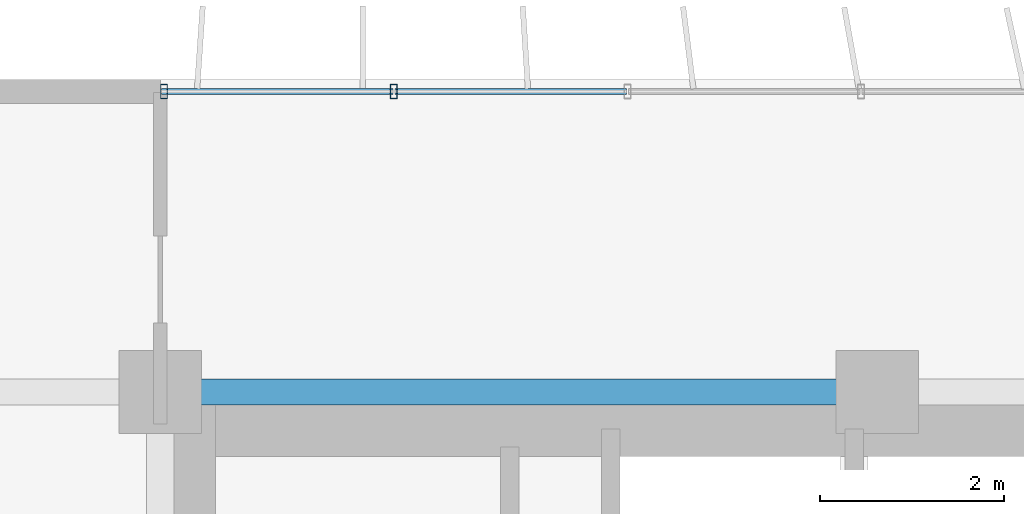
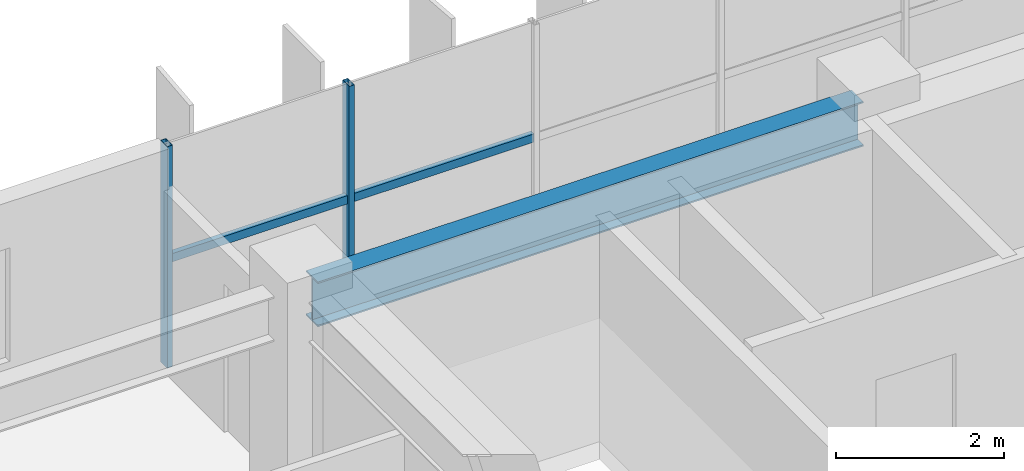
# One storey, part 8 of 25: 4 members, 1 beam, 1 element without a shape of its own.
"""IFC4 building model written with IfcOpenShell, lengths in metres."""

from ifc_helpers import new_model, si_unit, direction, frame, origin, origin_2d, place, context, subcontext, project, spatial, hollow_rectangle, i_section, extrude, source, transform, mapped, material, material_profile, profile_set, type_object, element, aggregate, save


model = new_model("IFC4")

# Units and contexts
model_context = context("Model", 3, precision=1e-05, world=origin(), true_north=direction((0.0, 1.0)))
body_context = subcontext(model_context, "Body", "Model", "MODEL_VIEW")
ifc_project = project(units=[si_unit("LENGTHUNIT", "METRE"), si_unit("AREAUNIT", "SQUARE_METRE"), si_unit("VOLUMEUNIT", "CUBIC_METRE"), si_unit("PLANEANGLEUNIT", "RADIAN"), si_unit("MASSUNIT", "GRAM", prefix="KILO")], contexts=[model_context])

# Site, building, storey
site_placement = place(None, origin())
site = spatial("IfcSite", under=ifc_project, at=site_placement, CompositionType="ELEMENT")
building_placement = place(site_placement, origin())
building = spatial("IfcBuilding", under=site, at=building_placement, Name="Trelvane Seafront Commons", CompositionType="ELEMENT")
storey_placement = place(building_placement, frame((0.0, 0.0, 70.300048828125)))
storey = spatial("IfcBuildingStorey", under=building, at=storey_placement, Name="L18", CompositionType="ELEMENT", Elevation=70.300048828125)

# Beam
ifc_material_1 = material(Name="Steel SM355 (S355)", Category="steel")
ifc_material_profile_1 = material_profile(ifc_material_1, i_section(OverallWidth=0.280029296875, OverallDepth=0.64990234375, WebThickness=0.012939453125, FlangeThickness=0.02197265625, at=origin_2d()), Name="H-650x280x13x22")
ifc_profile_set_1 = profile_set([ifc_material_profile_1], Name="Steel SM355 (S355)")
beam_type = type_object("IfcBeamType", Name="STR-BM-H650", PredefinedType="BEAM", material=ifc_profile_set_1)
shared_shape_1 = source(origin(), body_context, "Body", "SweptSolid", [
    extrude(i_section(OverallWidth=0.280029296875, OverallDepth=0.64990234375, WebThickness=0.012939453125, FlangeThickness=0.02197265625, at=origin_2d()), origin(), (0.0, 0.0, 1.0), 7.5),
])
beam_placement = place(storey_placement, frame((15.75, 45.10009765625, 2.89501953125), z_axis=(1.0, 0.0, 0.0), x_axis=(0.0, 1.0, 0.0)))
element("IfcBeam", 1, at=beam_placement, inside=storey, type_object=beam_type, Name="L18 Primary Girder G-30", PredefinedType="BEAM", context=body_context, shape_type="MappedRepresentation", body=[
    mapped(shared_shape_1, transform((0.0, 0.0, 0.0), x_axis=(1.0, 0.0, 0.0), y_axis=(0.0, 1.0, 0.0), z_axis=(0.0, 0.0, 1.0), scale=1.0)),
])

# Curtain wall, members
ifc_material_2 = material(Name="Anodised pale-silver aluminium", Category="aluminium")
curtain_wall_type = type_object("IfcCurtainWallType", Name="ARCH-CW2-LOWTOWER", PredefinedType="NOTDEFINED", material=ifc_material_2)
curtain_wall_placement = place(storey_placement, origin())
curtain_wall = element("IfcCurtainWall", 2, at=curtain_wall_placement, inside=storey, type_object=curtain_wall_type, Name="CW-L18-0043", PredefinedType="NOTDEFINED")
ifc_material_profile_2 = material_profile(ifc_material_2, hollow_rectangle(XDim=0.070068359375, YDim=0.1201171875, WallThickness=0.00390625, at=origin_2d()), Name="TRAN-70x120x4")
ifc_profile_set_2 = profile_set([ifc_material_profile_2], Name="Anodised pale-silver aluminium")
member_type_1 = type_object("IfcMemberType", Name="ARCH-CW-TRAN-120", PredefinedType="USERDEFINED", material=ifc_profile_set_2)
shared_shape_2 = source(origin(), body_context, "Body", "SweptSolid", [
    extrude(hollow_rectangle(XDim=0.070068359375, YDim=0.1201171875, WallThickness=0.00390625, at=origin_2d()), origin(), (0.0, 0.0, 1.0), 2.51708984375),
])
member_1_placement = place(storey_placement, frame((15.612060546875, 48.3701171875, 1.5458984375), z_axis=(1.0, 0.0, 0.0), x_axis=(0.0, 1.0, 0.0)))
member_1 = element("IfcMember", 3, at=member_1_placement, type_object=member_type_1, Name="CW-L18-0043-T00", ObjectType="TRANSOM", PredefinedType="USERDEFINED", context=body_context, shape_type="MappedRepresentation", body=[
    mapped(shared_shape_2, transform((0.0, 0.0, 0.0), x_axis=(1.0, 0.0, 0.0), y_axis=(0.0, 1.0, 0.0), z_axis=(0.0, 0.0, 1.0), scale=1.0)),
])
member_2_placement = place(storey_placement, frame((18.1533203125, 48.3701171875, 1.5458984375), z_axis=(1.0, 0.0, 0.0), x_axis=(0.0, 1.0, 0.0)))
member_2 = element("IfcMember", 4, at=member_2_placement, type_object=member_type_1, Name="CW-L18-0043-T01", ObjectType="TRANSOM", PredefinedType="USERDEFINED", context=body_context, shape_type="MappedRepresentation", body=[
    mapped(shared_shape_2, transform((0.0, 0.0, 0.0), x_axis=(1.0, 0.0, 0.0), y_axis=(0.0, 1.0, 0.0), z_axis=(0.0, 0.0, 1.0), scale=1.0)),
])
ifc_material_profile_3 = material_profile(ifc_material_2, hollow_rectangle(XDim=0.074951171875, YDim=0.159912109375, WallThickness=0.00390625, at=origin_2d()), Name="MULL-75x160x4")
ifc_profile_set_3 = profile_set([ifc_material_profile_3], Name="Anodised pale-silver aluminium")
member_type_2 = type_object("IfcMemberType", Name="ARCH-CW-MULL-160", PredefinedType="MULLION", material=ifc_profile_set_3)
shared_shape_3 = source(origin(), body_context, "Body", "SweptSolid", [
    extrude(hollow_rectangle(XDim=0.074951171875, YDim=0.159912109375, WallThickness=0.00390625, at=origin_2d()), origin(), (0.0, 0.0, 1.0), 3.219970703125),
])
member_3_placement = place(storey_placement, frame((15.639892578125, 48.3701171875, 0.0), z_axis=(0.0, 0.0, 1.0), x_axis=(1.0, 0.0, 0.0)))
member_3 = element("IfcMember", 5, at=member_3_placement, type_object=member_type_2, Name="CW-L18-0043-M00", PredefinedType="MULLION", context=body_context, shape_type="MappedRepresentation", body=[
    mapped(shared_shape_3, transform((0.0, 0.0, 0.0), x_axis=(1.0, 0.0, 0.0), y_axis=(0.0, 1.0, 0.0), z_axis=(0.0, 0.0, 1.0), scale=1.0)),
])
member_4_placement = place(storey_placement, frame((18.14111328125, 48.3701171875, 0.0), z_axis=(0.0, 0.0, 1.0), x_axis=(1.0, 0.0, 0.0)))
member_4 = element("IfcMember", 6, at=member_4_placement, type_object=member_type_2, Name="CW-L18-0043-M01", PredefinedType="MULLION", context=body_context, shape_type="MappedRepresentation", body=[
    mapped(shared_shape_3, transform((0.0, 0.0, 0.0), x_axis=(1.0, 0.0, 0.0), y_axis=(0.0, 1.0, 0.0), z_axis=(0.0, 0.0, 1.0), scale=1.0)),
])
aggregate(curtain_wall, [member_3, member_4, member_1, member_2])

save(model, "model.ifc")
